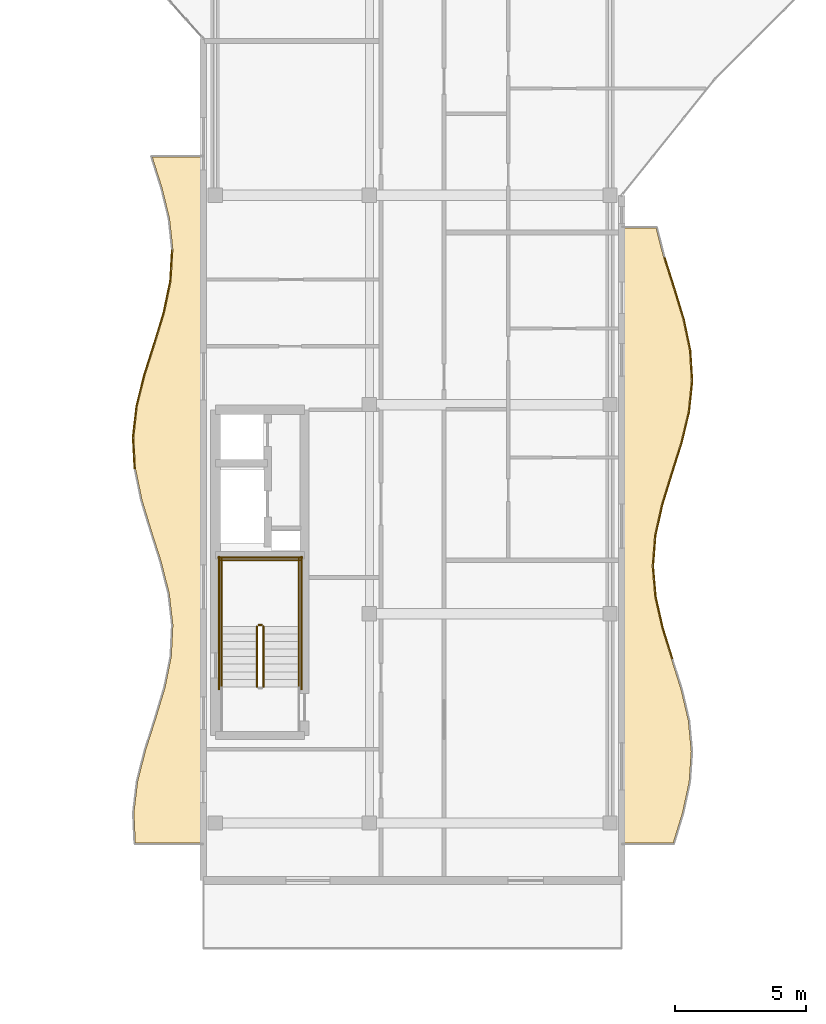
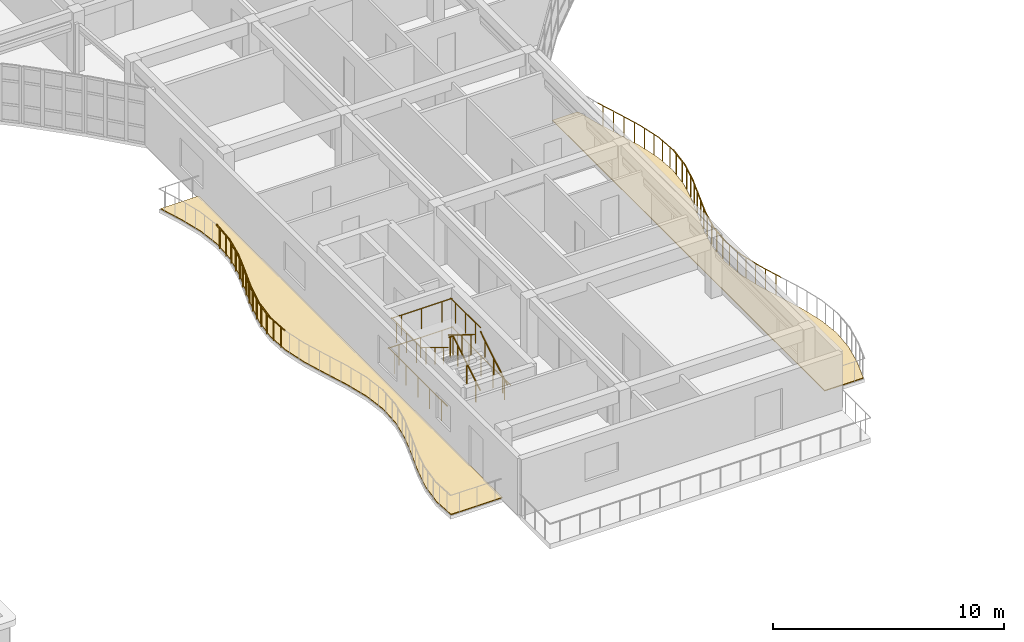
# One storey, part 41 of 54: 31 railings, 2 coverings.
"""IFC4 building model written with IfcOpenShell, lengths in metres."""

from ifc_helpers import new_model, si_unit, direction, frame, origin, origin_2d, place, context, subcontext, project, spatial, polyline, circle, outline, extrude, material, layer, layer_set, type_object, element, save


model = new_model("IFC4")

# Units and contexts
model_context = context("Model", 3, precision=1e-05, world=origin(), true_north=direction((0.0, 1.0)))
body_context = subcontext(model_context, "Body", "Model", "MODEL_VIEW")
ifc_project = project(units=[si_unit("LENGTHUNIT", "METRE"), si_unit("AREAUNIT", "SQUARE_METRE"), si_unit("VOLUMEUNIT", "CUBIC_METRE"), si_unit("PLANEANGLEUNIT", "RADIAN"), si_unit("MASSUNIT", "GRAM", prefix="KILO")], contexts=[model_context])

# Site, building, storey
site_placement = place(None, origin())
site = spatial("IfcSite", under=ifc_project, at=site_placement, CompositionType="ELEMENT")
building_placement = place(site_placement, origin())
building = spatial("IfcBuilding", under=site, at=building_placement, Name="Keldmere Railside Commons", CompositionType="ELEMENT")
storey_placement = place(building_placement, frame((0.0, 0.0, 26.56005859375)))
storey = spatial("IfcBuildingStorey", under=building, at=storey_placement, Name="L08", CompositionType="ELEMENT", Elevation=26.56005859375)

# Railings
ifc_material_1 = material(Name="Steel F-24 (S235)", Category="steel")
railing_type_1 = type_object("IfcRailingType", Name="Balcony & Terrace Steel Balustrade 1100", PredefinedType="BALUSTRADE", material=ifc_material_1)
railing_1_placement = place(storey_placement, frame((65.939208984375, 70.280029296875, 0.0)))
element("IfcRailing", 1, at=railing_1_placement, inside=storey, type_object=railing_type_1, Name="GR-1 GRD-L08-1679", PredefinedType="BALUSTRADE", context=body_context, shape_type="SweptSolid", body=[
    extrude(circle(Radius=0.02392578125, at=origin_2d()), frame((0.0, 0.0, 1.076171875), z_axis=(-0.297678827958, 0.95466607533, 0.0), x_axis=(-0.95466607533, -0.297678827958, 0.0)), (0.0, 0.0, 1.0), 1.236083984375),
    extrude(circle(Radius=0.02099609375, at=origin_2d()), frame((-0.092041015625, 0.294921875, 0.0)), (0.0, 0.0, 1.0), 1.048095703125),
    extrude(circle(Radius=0.02099609375, at=origin_2d()), frame((-0.27587890625, 0.885009765625, 0.0)), (0.0, 0.0, 1.0), 1.048095703125),
])
railing_2_placement = place(storey_placement, frame((65.5712890625, 71.4599609375, 0.0)))
element("IfcRailing", 2, at=railing_2_placement, inside=storey, type_object=railing_type_1, Name="GR-1 GRD-L08-1680", PredefinedType="BALUSTRADE", context=body_context, shape_type="SweptSolid", body=[
    extrude(circle(Radius=0.02392578125, at=origin_2d()), frame((0.0, 0.0, 1.076171875), z_axis=(-0.222885046834, 0.974844734252, 0.0), x_axis=(-0.974844734252, -0.222885046834, 0.0)), (0.0, 0.0, 1.0), 1.21044921875),
    extrude(circle(Radius=0.02099609375, at=origin_2d()), frame((-0.0673828125, 0.294921875, 0.0)), (0.0, 0.0, 1.0), 1.048095703125),
    extrude(circle(Radius=0.02099609375, at=origin_2d()), frame((-0.202392578125, 0.885009765625, 0.0)), (0.0, 0.0, 1.0), 1.048095703125),
])
railing_3_placement = place(storey_placement, frame((65.301513671875, 72.639892578125, 0.0)))
element("IfcRailing", 3, at=railing_3_placement, inside=storey, type_object=railing_type_1, Name="GR-1 GRD-L08-1681", PredefinedType="BALUSTRADE", context=body_context, shape_type="SweptSolid", body=[
    extrude(circle(Radius=0.02392578125, at=origin_2d()), frame((0.0, 0.0, 1.076171875), z_axis=(-0.08553559636, 0.996335115187, 0.0), x_axis=(-0.996335115187, -0.08553559636, 0.0)), (0.0, 0.0, 1.0), 1.1845703125),
    extrude(circle(Radius=0.02099609375, at=origin_2d()), frame((-0.025390625, 0.294921875, 0.0)), (0.0, 0.0, 1.0), 1.048095703125),
    extrude(circle(Radius=0.02099609375, at=origin_2d()), frame((-0.075927734375, 0.88525390625, 0.0)), (0.0, 0.0, 1.0), 1.048095703125),
])
railing_4_placement = place(storey_placement, frame((65.2001953125, 73.820068359375, 0.0)))
element("IfcRailing", 4, at=railing_4_placement, inside=storey, type_object=railing_type_1, Name="GR-1 GRD-L08-1682", PredefinedType="BALUSTRADE", context=body_context, shape_type="SweptSolid", body=[
    extrude(circle(Radius=0.02392578125, at=origin_2d()), frame((0.0, 0.0, 1.076171875), z_axis=(0.078384197331, 0.996923225534, 0.0), x_axis=(-0.996923225534, 0.078384197331, 0.0)), (0.0, 0.0, 1.0), 1.18359375),
    extrude(circle(Radius=0.02099609375, at=origin_2d()), frame((0.023193359375, 0.294921875, 0.0)), (0.0, 0.0, 1.0), 1.048095703125),
    extrude(circle(Radius=0.02099609375, at=origin_2d()), frame((0.069580078125, 0.885009765625, 0.0)), (0.0, 0.0, 1.0), 1.048095703125),
])
railing_5_placement = place(storey_placement, frame((65.29296875, 75.0, 0.0)))
element("IfcRailing", 5, at=railing_5_placement, inside=storey, type_object=railing_type_1, Name="GR-1 GRD-L08-1683", PredefinedType="BALUSTRADE", context=body_context, shape_type="SweptSolid", body=[
    extrude(circle(Radius=0.02392578125, at=origin_2d()), frame((0.0, 0.0, 1.076171875), z_axis=(0.217700169429, 0.976015694664, 0.0), x_axis=(-0.976015694664, 0.217700169429, 0.0)), (0.0, 0.0, 1.0), 1.208984375),
    extrude(circle(Radius=0.02099609375, at=origin_2d()), frame((0.06591796875, 0.294921875, 0.0)), (0.0, 0.0, 1.0), 1.048095703125),
    extrude(circle(Radius=0.02099609375, at=origin_2d()), frame((0.197265625, 0.885009765625, 0.0)), (0.0, 0.0, 1.0), 1.048095703125),
])
railing_6_placement = place(storey_placement, frame((65.55615234375, 76.179931640625, 0.0)))
element("IfcRailing", 6, at=railing_6_placement, inside=storey, type_object=railing_type_1, Name="GR-1 GRD-L08-1684", PredefinedType="BALUSTRADE", context=body_context, shape_type="SweptSolid", body=[
    extrude(circle(Radius=0.02392578125, at=origin_2d()), frame((0.0, 0.0, 1.076171875), z_axis=(0.295821121236, 0.955243353408, 0.0), x_axis=(-0.955243353408, 0.295821121236, 0.0)), (0.0, 0.0, 1.0), 1.2353515625),
    extrude(circle(Radius=0.02099609375, at=origin_2d()), frame((0.09130859375, 0.294921875, 0.0)), (0.0, 0.0, 1.0), 1.048095703125),
    extrude(circle(Radius=0.02099609375, at=origin_2d()), frame((0.274169921875, 0.88525390625, 0.0)), (0.0, 0.0, 1.0), 1.048095703125),
])
railing_7_placement = place(storey_placement, frame((65.921630859375, 77.360107421875, 0.0)))
element("IfcRailing", 7, at=railing_7_placement, inside=storey, type_object=railing_type_1, Name="GR-1 GRD-L08-1685", PredefinedType="BALUSTRADE", context=body_context, shape_type="SweptSolid", body=[
    extrude(circle(Radius=0.02392578125, at=origin_2d()), frame((0.0, 0.0, 1.076171875), z_axis=(0.301093595693, 0.953594592388, 0.0), x_axis=(-0.953594592388, 0.301093595693, 0.0)), (0.0, 0.0, 1.0), 1.2373046875),
    extrude(circle(Radius=0.02099609375, at=origin_2d()), frame((0.09326171875, 0.294921875, 0.0)), (0.0, 0.0, 1.0), 1.048095703125),
    extrude(circle(Radius=0.02099609375, at=origin_2d()), frame((0.279296875, 0.885009765625, 0.0)), (0.0, 0.0, 1.0), 1.048095703125),
])
railing_8_placement = place(storey_placement, frame((66.294189453125, 78.5400390625, 0.0)))
element("IfcRailing", 8, at=railing_8_placement, inside=storey, type_object=railing_type_1, Name="GR-1 GRD-L08-1686", PredefinedType="BALUSTRADE", context=body_context, shape_type="SweptSolid", body=[
    extrude(circle(Radius=0.02392578125, at=origin_2d()), frame((0.0, 0.0, 1.076171875), z_axis=(0.233768592957, 0.972292263132, 0.0), x_axis=(-0.972292263132, 0.233768592957, 0.0)), (0.0, 0.0, 1.0), 1.213623046875),
    extrude(circle(Radius=0.02099609375, at=origin_2d()), frame((0.07080078125, 0.294921875, 0.0)), (0.0, 0.0, 1.0), 1.048095703125),
    extrude(circle(Radius=0.02099609375, at=origin_2d()), frame((0.212890625, 0.885009765625, 0.0)), (0.0, 0.0, 1.0), 1.048095703125),
])
railing_9_placement = place(storey_placement, frame((66.577880859375, 79.719970703125, 0.0)))
element("IfcRailing", 9, at=railing_9_placement, inside=storey, type_object=railing_type_1, Name="GR-1 GRD-L08-1687", PredefinedType="BALUSTRADE", context=body_context, shape_type="SweptSolid", body=[
    extrude(circle(Radius=0.02392578125, at=origin_2d()), frame((0.0, 0.0, 1.076171875), z_axis=(0.101684143753, 0.994816734333, 0.0), x_axis=(-0.994816734333, 0.101684143753, 0.0)), (0.0, 0.0, 1.0), 1.18603515625),
    extrude(circle(Radius=0.02099609375, at=origin_2d()), frame((0.0302734375, 0.294921875, 0.0)), (0.0, 0.0, 1.0), 1.048095703125),
    extrude(circle(Radius=0.02099609375, at=origin_2d()), frame((0.09033203125, 0.885009765625, 0.0)), (0.0, 0.0, 1.0), 1.048095703125),
])
railing_10_placement = place(storey_placement, frame((66.698486328125, 80.89990234375, 0.0)))
element("IfcRailing", 10, at=railing_10_placement, inside=storey, type_object=railing_type_1, Name="GR-1 GRD-L08-1688", PredefinedType="BALUSTRADE", context=body_context, shape_type="SweptSolid", body=[
    extrude(circle(Radius=0.02392578125, at=origin_2d()), frame((0.0, 0.0, 1.076171875), z_axis=(-0.062146911616, 0.998067012468, 0.0), x_axis=(-0.998067012468, -0.062146911616, 0.0)), (0.0, 0.0, 1.0), 1.182373046875),
    extrude(circle(Radius=0.02099609375, at=origin_2d()), frame((-0.018310546875, 0.294921875, 0.0)), (0.0, 0.0, 1.0), 1.048095703125),
    extrude(circle(Radius=0.02099609375, at=origin_2d()), frame((-0.05517578125, 0.88525390625, 0.0)), (0.0, 0.0, 1.0), 1.048095703125),
])
railing_11_placement = place(storey_placement, frame((66.625, 82.080078125, 0.0)))
element("IfcRailing", 11, at=railing_11_placement, inside=storey, type_object=railing_type_1, Name="GR-1 GRD-L08-1689", PredefinedType="BALUSTRADE", context=body_context, shape_type="SweptSolid", body=[
    extrude(circle(Radius=0.02392578125, at=origin_2d()), frame((0.0, 0.0, 1.076171875), z_axis=(-0.205918640651, 0.978569115307, 0.0), x_axis=(-0.978569115307, -0.205918640651, 0.0)), (0.0, 0.0, 1.0), 1.205810546875),
    extrude(circle(Radius=0.02099609375, at=origin_2d()), frame((-0.06201171875, 0.294921875, 0.0)), (0.0, 0.0, 1.0), 1.048095703125),
    extrude(circle(Radius=0.02099609375, at=origin_2d()), frame((-0.186279296875, 0.885009765625, 0.0)), (0.0, 0.0, 1.0), 1.048095703125),
])
railing_12_placement = place(storey_placement, frame((66.376708984375, 83.260009765625, 0.0)))
element("IfcRailing", 12, at=railing_12_placement, inside=storey, type_object=railing_type_1, Name="GR-1 GRD-L08-1690", PredefinedType="BALUSTRADE", context=body_context, shape_type="SweptSolid", body=[
    extrude(circle(Radius=0.02392578125, at=origin_2d()), frame((0.0, 0.0, 1.076171875), z_axis=(-0.291177369166, 0.956669085779, 0.0), x_axis=(-0.956669085779, -0.291177369166, 0.0)), (0.0, 0.0, 1.0), 1.2333984375),
    extrude(circle(Radius=0.02099609375, at=origin_2d()), frame((-0.08984375, 0.294921875, 0.0)), (0.0, 0.0, 1.0), 1.048095703125),
    extrude(circle(Radius=0.02099609375, at=origin_2d()), frame((-0.269287109375, 0.885009765625, 0.0)), (0.0, 0.0, 1.0), 1.048095703125),
])
railing_13_placement = place(storey_placement, frame((66.017578125, 84.43994140625, 0.0)))
element("IfcRailing", 13, at=railing_13_placement, inside=storey, type_object=railing_type_1, Name="GR-1 GRD-L08-1691", PredefinedType="BALUSTRADE", context=body_context, shape_type="SweptSolid", body=[
    extrude(circle(Radius=0.02392578125, at=origin_2d()), frame((0.0, 0.0, 1.076171875), z_axis=(-0.303903167472, 0.952702925786, 0.0), x_axis=(-0.952702925786, -0.303903167472, 0.0)), (0.0, 0.0, 1.0), 1.23876953125),
    extrude(circle(Radius=0.02099609375, at=origin_2d()), frame((-0.09423828125, 0.294921875, 0.0)), (0.0, 0.0, 1.0), 1.048095703125),
    extrude(circle(Radius=0.02099609375, at=origin_2d()), frame((-0.2822265625, 0.88525390625, 0.0)), (0.0, 0.0, 1.0), 1.048095703125),
])
railing_14_placement = place(storey_placement, frame((45.36767578125, 77.54541015625, 0.0)))
element("IfcRailing", 14, at=railing_14_placement, inside=storey, type_object=railing_type_1, Name="GR-1 GRD-L08-1707", PredefinedType="BALUSTRADE", context=body_context, shape_type="SweptSolid", body=[
    extrude(circle(Radius=0.02392578125, at=origin_2d()), frame((0.0, 0.0, 1.076171875), z_axis=(-0.053832386411, 0.998549985816, 0.0), x_axis=(-0.998549985816, -0.053832386411, 0.0)), (0.0, 0.0, 1.0), 1.197265625),
    extrude(circle(Radius=0.02099609375, at=origin_2d()), frame((-0.01611328125, 0.298828125, 0.0)), (0.0, 0.0, 1.0), 1.048095703125),
    extrude(circle(Radius=0.02099609375, at=origin_2d()), frame((-0.04833984375, 0.896728515625, 0.0)), (0.0, 0.0, 1.0), 1.048095703125),
])
railing_15_placement = place(storey_placement, frame((45.30322265625, 78.740966796875, 0.0)))
element("IfcRailing", 15, at=railing_15_placement, inside=storey, type_object=railing_type_1, Name="GR-1 GRD-L08-1708", PredefinedType="BALUSTRADE", context=body_context, shape_type="SweptSolid", body=[
    extrude(circle(Radius=0.02392578125, at=origin_2d()), frame((0.0, 0.0, 1.076171875), z_axis=(0.111634423673, 0.993749342365, 0.0), x_axis=(-0.993749342365, 0.111634423673, 0.0)), (0.0, 0.0, 1.0), 1.202880859375),
    extrude(circle(Radius=0.02099609375, at=origin_2d()), frame((0.03369140625, 0.298828125, 0.0)), (0.0, 0.0, 1.0), 1.048095703125),
    extrude(circle(Radius=0.02099609375, at=origin_2d()), frame((0.1005859375, 0.896484375, 0.0)), (0.0, 0.0, 1.0), 1.048095703125),
])
railing_16_placement = place(storey_placement, frame((45.4375, 79.936279296875, 0.0)))
element("IfcRailing", 16, at=railing_16_placement, inside=storey, type_object=railing_type_1, Name="GR-1 GRD-L08-1709", PredefinedType="BALUSTRADE", context=body_context, shape_type="SweptSolid", body=[
    extrude(circle(Radius=0.02392578125, at=origin_2d()), frame((0.0, 0.0, 1.076171875), z_axis=(0.241369750394, 0.970433224696, 0.0), x_axis=(-0.970433224696, 0.241369750394, 0.0)), (0.0, 0.0, 1.0), 1.23193359375),
    extrude(circle(Radius=0.02099609375, at=origin_2d()), frame((0.07421875, 0.298828125, 0.0)), (0.0, 0.0, 1.0), 1.048095703125),
    extrude(circle(Radius=0.02099609375, at=origin_2d()), frame((0.22314453125, 0.896728515625, 0.0)), (0.0, 0.0, 1.0), 1.048095703125),
])
railing_17_placement = place(storey_placement, frame((45.73486328125, 81.1318359375, 0.0)))
element("IfcRailing", 17, at=railing_17_placement, inside=storey, type_object=railing_type_1, Name="GR-1 GRD-L08-1710", PredefinedType="BALUSTRADE", context=body_context, shape_type="SweptSolid", body=[
    extrude(circle(Radius=0.02392578125, at=origin_2d()), frame((0.0, 0.0, 1.076171875), z_axis=(0.303532915514, 0.95282095338, 0.0), x_axis=(-0.95282095338, 0.303532915514, 0.0)), (0.0, 0.0, 1.0), 1.254638671875),
    extrude(circle(Radius=0.02099609375, at=origin_2d()), frame((0.09521484375, 0.298828125, 0.0)), (0.0, 0.0, 1.0), 1.048095703125),
    extrude(circle(Radius=0.02099609375, at=origin_2d()), frame((0.28564453125, 0.896728515625, 0.0)), (0.0, 0.0, 1.0), 1.048095703125),
])
railing_18_placement = place(storey_placement, frame((46.11572265625, 82.327392578125, 0.0)))
element("IfcRailing", 18, at=railing_18_placement, inside=storey, type_object=railing_type_1, Name="GR-1 GRD-L08-1711", PredefinedType="BALUSTRADE", context=body_context, shape_type="SweptSolid", body=[
    extrude(circle(Radius=0.02392578125, at=origin_2d()), frame((0.0, 0.0, 1.076171875), z_axis=(0.290967212859, 0.956733024956, 0.0), x_axis=(-0.956733024956, 0.290967212859, 0.0)), (0.0, 0.0, 1.0), 1.249267578125),
    extrude(circle(Radius=0.02099609375, at=origin_2d()), frame((0.0908203125, 0.298828125, 0.0)), (0.0, 0.0, 1.0), 1.048095703125),
    extrude(circle(Radius=0.02099609375, at=origin_2d()), frame((0.272705078125, 0.896484375, 0.0)), (0.0, 0.0, 1.0), 1.048095703125),
])
railing_19_placement = place(storey_placement, frame((46.479248046875, 83.522705078125, 0.0)))
element("IfcRailing", 19, at=railing_19_placement, inside=storey, type_object=railing_type_1, Name="GR-1 GRD-L08-1712", PredefinedType="BALUSTRADE", context=body_context, shape_type="SweptSolid", body=[
    extrude(circle(Radius=0.02392578125, at=origin_2d()), frame((0.0, 0.0, 1.076171875), z_axis=(0.204297496973, 0.978908848019, 0.0), x_axis=(-0.978908848019, 0.204297496973, 0.0)), (0.0, 0.0, 1.0), 1.221435546875),
    extrude(circle(Radius=0.02099609375, at=origin_2d()), frame((0.0625, 0.298828125, 0.0)), (0.0, 0.0, 1.0), 1.048095703125),
    extrude(circle(Radius=0.02099609375, at=origin_2d()), frame((0.18701171875, 0.896728515625, 0.0)), (0.0, 0.0, 1.0), 1.048095703125),
])
railing_20_placement = place(storey_placement, frame((46.728759765625, 84.71826171875, 0.0)))
element("IfcRailing", 20, at=railing_20_placement, inside=storey, type_object=railing_type_1, Name="GR-1 GRD-L08-1713", PredefinedType="BALUSTRADE", context=body_context, shape_type="SweptSolid", body=[
    extrude(circle(Radius=0.02392578125, at=origin_2d()), frame((0.0, 0.0, 1.076171875), z_axis=(0.057502734552, 0.998345348824, 0.0), x_axis=(-0.998345348824, 0.057502734552, 0.0)), (0.0, 0.0, 1.0), 1.197265625),
    extrude(circle(Radius=0.02099609375, at=origin_2d()), frame((0.01708984375, 0.298828125, 0.0)), (0.0, 0.0, 1.0), 1.048095703125),
    extrude(circle(Radius=0.02099609375, at=origin_2d()), frame((0.0517578125, 0.896484375, 0.0)), (0.0, 0.0, 1.0), 1.048095703125),
])
railing_type_2 = type_object("IfcRailingType", Name="Stair Well Steel Guardrail 1100", PredefinedType="BALUSTRADE", material=ifc_material_1)
railing_21_placement = place(storey_placement, frame((50.300048828125, 69.199951171875, 0.177734375)))
element("IfcRailing", 21, at=railing_21_placement, inside=storey, type_object=railing_type_2, Name="L08 ST-C1 stair guard 1", PredefinedType="BALUSTRADE", context=body_context, shape_type="SweptSolid", body=[
    extrude(circle(Radius=0.02392578125, at=origin_2d()), frame((0.0, 0.0, 1.076171875), z_axis=(0.0, 0.852578041948, 0.522599925744), x_axis=(-1.0, 0.0, 0.0)), (0.0, 0.0, 1.0), 2.72119140625),
    extrude(circle(Radius=0.02099609375, at=origin_2d()), frame((0.0, 0.38671875, 0.237060546875)), (0.0, 0.0, 1.0), 1.048095703125),
    extrude(circle(Radius=0.02099609375, at=origin_2d()), frame((0.0, 1.16015625, 0.7109375)), (0.0, 0.0, 1.0), 1.048095703125),
    extrude(circle(Radius=0.02099609375, at=origin_2d()), frame((0.0, 1.933349609375, 1.18505859375)), (0.0, 0.0, 1.0), 1.048095703125),
])
railing_22_placement = place(storey_placement, frame((50.25, 71.570068359375, 1.599853515625)))
element("IfcRailing", 22, at=railing_22_placement, inside=storey, type_object=railing_type_2, Name="L08 ST-C1 stair guard 2", PredefinedType="BALUSTRADE", context=body_context, shape_type="SweptSolid", body=[
    extrude(circle(Radius=0.02392578125, at=origin_2d()), frame((0.0, 0.0, 1.076171875), z_axis=(-1.0, 0.0, 0.0), x_axis=(0.0, -1.0, 0.0)), (0.0, 0.0, 1.0), 0.14990234375),
    extrude(circle(Radius=0.02099609375, at=origin_2d()), frame((-0.074951171875, 0.0, 0.0)), (0.0, 0.0, 1.0), 1.048095703125),
])
for number, where, name in (
    (23, (51.64990234375, 71.52001953125, 1.599853515625), "L08 ST-C1 stair guard 3"),
    (24, (48.699951171875, 71.52001953125, 1.599853515625), "L08 ST-C1 stair guard 4"),
):
    element("IfcRailing", number, at=place(storey_placement, frame(where)), inside=storey, type_object=railing_type_2, Name=name, PredefinedType="BALUSTRADE", context=body_context, shape_type="SweptSolid", body=[
        extrude(circle(Radius=0.02392578125, at=origin_2d()), frame((0.0, 0.0, 1.076171875), z_axis=(0.0, 1.0, 0.0), x_axis=(-1.0, 0.0, 0.0)), (0.0, 0.0, 1.0), 2.580078125),
        extrude(circle(Radius=0.02099609375, at=origin_2d()), frame((0.0, 0.429931640625, 0.0)), (0.0, 0.0, 1.0), 1.048095703125),
        extrude(circle(Radius=0.02099609375, at=origin_2d()), frame((0.0, 1.2900390625, 0.0)), (0.0, 0.0, 1.0), 1.048095703125),
        extrude(circle(Radius=0.02099609375, at=origin_2d()), frame((0.0, 2.150146484375, 0.0)), (0.0, 0.0, 1.0), 1.048095703125),
    ])
railing_23_placement = place(storey_placement, frame((51.699951171875, 74.050048828125, 1.599853515625)))
element("IfcRailing", 25, at=railing_23_placement, inside=storey, type_object=railing_type_2, Name="L08 ST-C1 stair guard 5", PredefinedType="BALUSTRADE", context=body_context, shape_type="SweptSolid", body=[
    extrude(circle(Radius=0.02392578125, at=origin_2d()), frame((0.0, 0.0, 1.076171875), z_axis=(-1.0, 0.0, 0.0), x_axis=(0.0, -1.0, 0.0)), (0.0, 0.0, 1.0), 3.050048828125),
    extrude(circle(Radius=0.02099609375, at=origin_2d()), frame((-0.50830078125, 0.0, 0.0)), (0.0, 0.0, 1.0), 1.048095703125),
    extrude(circle(Radius=0.02099609375, at=origin_2d()), frame((-1.52490234375, 0.0, 0.0)), (0.0, 0.0, 1.0), 1.048095703125),
    extrude(circle(Radius=0.02099609375, at=origin_2d()), frame((-2.541748046875, 0.0, 0.0)), (0.0, 0.0, 1.0), 1.048095703125),
])
railing_24_placement = place(storey_placement, frame((50.050048828125, 71.52001953125, 1.77783203125)))
element("IfcRailing", 26, at=railing_24_placement, inside=storey, type_object=railing_type_2, Name="L08 ST-C1 stair guard 6", PredefinedType="BALUSTRADE", context=body_context, shape_type="SweptSolid", body=[
    extrude(circle(Radius=0.02392578125, at=origin_2d()), frame((0.0, 0.0, 1.076171875), z_axis=(0.0, -0.852578041948, 0.522599925744), x_axis=(1.0, 0.0, 0.0)), (0.0, 0.0, 1.0), 2.72119140625),
    extrude(circle(Radius=0.02099609375, at=origin_2d()), frame((0.0, -0.38671875, 0.237060546875)), (0.0, 0.0, 1.0), 1.048095703125),
    extrude(circle(Radius=0.02099609375, at=origin_2d()), frame((0.0, -1.16015625, 0.7109375)), (0.0, 0.0, 1.0), 1.048095703125),
    extrude(circle(Radius=0.02099609375, at=origin_2d()), frame((0.0, -1.933349609375, 1.18505859375)), (0.0, 0.0, 1.0), 1.048095703125),
])
for number, where, name in (
    (27, (51.75, 69.10009765625, 0.0), "L08 ST-C1 stair guard 10"),
    (28, (48.60009765625, 69.10009765625, 0.0), "L08 ST-C1 stair guard 11"),
):
    element("IfcRailing", number, at=place(storey_placement, frame(where)), inside=storey, type_object=railing_type_2, Name=name, PredefinedType="BALUSTRADE", context=body_context, shape_type="SweptSolid", body=[
        extrude(circle(Radius=0.02392578125, at=origin_2d()), frame((0.0, 0.0, 1.076171875), z_axis=(0.0, 1.0, 0.0), x_axis=(-1.0, 0.0, 0.0)), (0.0, 0.0, 1.0), 5.099853515625),
        extrude(circle(Radius=0.02099609375, at=origin_2d()), frame((0.0, 0.510009765625, 0.0)), (0.0, 0.0, 1.0), 1.048095703125),
        extrude(circle(Radius=0.02099609375, at=origin_2d()), frame((0.0, 1.530029296875, 0.0)), (0.0, 0.0, 1.0), 1.048095703125),
        extrude(circle(Radius=0.02099609375, at=origin_2d()), frame((0.0, 2.5498046875, 0.0)), (0.0, 0.0, 1.0), 1.048095703125),
        extrude(circle(Radius=0.02099609375, at=origin_2d()), frame((0.0, 3.56982421875, 0.0)), (0.0, 0.0, 1.0), 1.048095703125),
        extrude(circle(Radius=0.02099609375, at=origin_2d()), frame((0.0, 4.58984375, 0.0)), (0.0, 0.0, 1.0), 1.048095703125),
    ])
railing_25_placement = place(storey_placement, frame((51.800048828125, 74.14990234375, 0.0)))
element("IfcRailing", 29, at=railing_25_placement, inside=storey, type_object=railing_type_2, Name="L08 ST-C1 stair guard 12", PredefinedType="BALUSTRADE", context=body_context, shape_type="SweptSolid", body=[
    extrude(circle(Radius=0.02392578125, at=origin_2d()), frame((0.0, 0.0, 1.076171875), z_axis=(-1.0, 0.0, 0.0), x_axis=(0.0, -1.0, 0.0)), (0.0, 0.0, 1.0), 3.25),
    extrude(circle(Radius=0.02099609375, at=origin_2d()), frame((-0.541748046875, 0.0, 0.0)), (0.0, 0.0, 1.0), 1.048095703125),
    extrude(circle(Radius=0.02099609375, at=origin_2d()), frame((-1.625, 0.0, 0.0)), (0.0, 0.0, 1.0), 1.048095703125),
    extrude(circle(Radius=0.02099609375, at=origin_2d()), frame((-2.708251953125, 0.0, 0.0)), (0.0, 0.0, 1.0), 1.048095703125),
])
railing_type_3 = type_object("IfcRailingType", Name="Wall-Mounted Tubular Steel Handrail 900", PredefinedType="HANDRAIL", material=ifc_material_1)
railing_26_placement = place(storey_placement, frame((51.64990234375, 69.199951171875, 0.177734375)))
element("IfcRailing", 30, at=railing_26_placement, inside=storey, type_object=railing_type_3, Name="L08 ST-C1 stair handrail 1", PredefinedType="HANDRAIL", context=body_context, shape_type="SweptSolid", body=[
    extrude(circle(Radius=0.02392578125, at=origin_2d()), frame((0.0, 0.0, 0.8759765625), z_axis=(0.0, 0.852578041948, 0.522599925744), x_axis=(-1.0, 0.0, 0.0)), (0.0, 0.0, 1.0), 2.72119140625),
    extrude(circle(Radius=0.02099609375, at=origin_2d()), frame((0.0, 0.38671875, 0.237060546875)), (0.0, 0.0, 1.0), 0.847900390625),
    extrude(circle(Radius=0.02099609375, at=origin_2d()), frame((0.0, 1.16015625, 0.7109375)), (0.0, 0.0, 1.0), 0.847900390625),
    extrude(circle(Radius=0.02099609375, at=origin_2d()), frame((0.0, 1.933349609375, 1.18505859375)), (0.0, 0.0, 1.0), 0.847900390625),
])
railing_27_placement = place(storey_placement, frame((48.699951171875, 71.52001953125, 1.77783203125)))
element("IfcRailing", 31, at=railing_27_placement, inside=storey, type_object=railing_type_3, Name="L08 ST-C1 stair handrail 2", PredefinedType="HANDRAIL", context=body_context, shape_type="SweptSolid", body=[
    extrude(circle(Radius=0.02392578125, at=origin_2d()), frame((0.0, 0.0, 0.8759765625), z_axis=(0.0, -0.852578041948, 0.522599925744), x_axis=(1.0, 0.0, 0.0)), (0.0, 0.0, 1.0), 2.72119140625),
    extrude(circle(Radius=0.02099609375, at=origin_2d()), frame((0.0, -0.38671875, 0.237060546875)), (0.0, 0.0, 1.0), 0.847900390625),
    extrude(circle(Radius=0.02099609375, at=origin_2d()), frame((0.0, -1.16015625, 0.7109375)), (0.0, 0.0, 1.0), 0.847900390625),
    extrude(circle(Radius=0.02099609375, at=origin_2d()), frame((0.0, -1.933349609375, 1.18505859375)), (0.0, 0.0, 1.0), 0.847900390625),
])

# Coverings
ifc_material_2 = material(Name="White Precast Concrete C35/45", Category="concrete")
ifc_layer = layer(ifc_material_2, 0.044921875, Name="White Architectural Balcony Ribbon Cladding 45")
ifc_layer_set = layer_set([ifc_layer], Name="White Precast Concrete C35/45")
covering_type = type_object("IfcCoveringType", Name="White Architectural Balcony Ribbon Cladding 45", PredefinedType="FLOORING", material=ifc_layer_set)
covering_1_placement = place(storey_placement, origin())
element("IfcCovering", 32, at=covering_1_placement, inside=storey, type_object=covering_type, Name="CLG-WB C L08 CE White Balcony Ribbon", PredefinedType="FLOORING", context=body_context, shape_type="SweptSolid", body=[
    extrude(outline(polyline([(66.323486328125, 64.39013671875), (66.577392578125, 65.565673828125), (66.6591796875, 66.739501953125), (66.547607421875, 67.91357421875), (66.271240234375, 69.08935546875), (65.90087890625, 70.26806640625), (65.90087890625, 70.26806640625), (65.533203125, 71.447998046875), (65.5322265625, 71.451171875), (65.2626953125, 72.631103515625), (65.26171875, 72.63671875), (65.16015625, 73.816650390625), (65.16015625, 73.81982421875), (65.16015625, 73.822998046875), (65.2529296875, 75.003173828125), (65.25390625, 75.0087890625), (65.51708984375, 76.188720703125), (65.51806640625, 76.19189453125), (65.88330078125, 77.371826171875), (65.883544921875, 77.3720703125), (66.255615234375, 78.55078125), (66.538330078125, 79.726806640625), (66.658447265625, 80.90087890625), (66.58544921875, 82.07470703125), (66.337890625, 83.25), (65.9794921875, 84.427978515625), (65.602783203125, 85.60791015625), (65.602294921875, 85.6103515625), (65.3134765625, 86.760009765625), (64.0400390625, 86.760009765625), (64.0400390625, 63.239990234375), (65.970458984375, 63.239990234375), (66.323486328125, 64.39013671875)])), origin(), (0.0, 0.0, 1.0), 0.044921875),
])
covering_2_placement = place(storey_placement, origin())
element("IfcCovering", 33, at=covering_2_placement, inside=storey, type_object=covering_type, Name="CLG-WB C L08 CW White Balcony Ribbon", PredefinedType="FLOORING", context=body_context, shape_type="SweptSolid", body=[
    extrude(outline(polyline([(47.9599609375, 89.4599609375), (46.0478515625, 89.4599609375), (46.411376953125, 88.316650390625), (46.412109375, 88.314208984375), (46.706298828125, 87.11865234375), (46.707275390625, 87.11328125), (46.83740234375, 85.91796875), (46.83740234375, 85.91455078125), (46.83740234375, 85.911376953125), (46.7685546875, 84.7158203125), (46.768310546875, 84.712890625), (46.767822265625, 84.7099609375), (46.5185546875, 83.514404296875), (46.517578125, 83.510986328125), (46.154052734375, 82.315673828125), (46.15380859375, 82.315185546875), (45.773193359375, 81.120849609375), (45.47705078125, 79.92919921875), (45.343505859375, 78.73974609375), (45.407470703125, 77.550537109375), (45.652099609375, 76.35986328125), (46.013427734375, 75.16650390625), (46.395263671875, 73.97119140625), (46.39599609375, 73.96875), (46.696044921875, 72.773193359375), (46.697021484375, 72.768310546875), (46.83544921875, 71.57275390625), (46.835693359375, 71.569580078125), (46.835693359375, 71.566162109375), (46.776123046875, 70.37060546875), (46.77587890625, 70.36767578125), (46.775390625, 70.36474609375), (46.533203125, 69.16943359375), (46.5322265625, 69.165771484375), (46.171875, 67.97021484375), (46.171630859375, 67.969482421875), (45.78955078125, 66.775390625), (45.487548828125, 65.58349609375), (45.34521484375, 64.39404296875), (45.398681640625, 63.239990234375), (47.9599609375, 63.239990234375), (47.9599609375, 89.4599609375)])), origin(), (0.0, 0.0, 1.0), 0.044921875),
])

save(model, "model.ifc")
